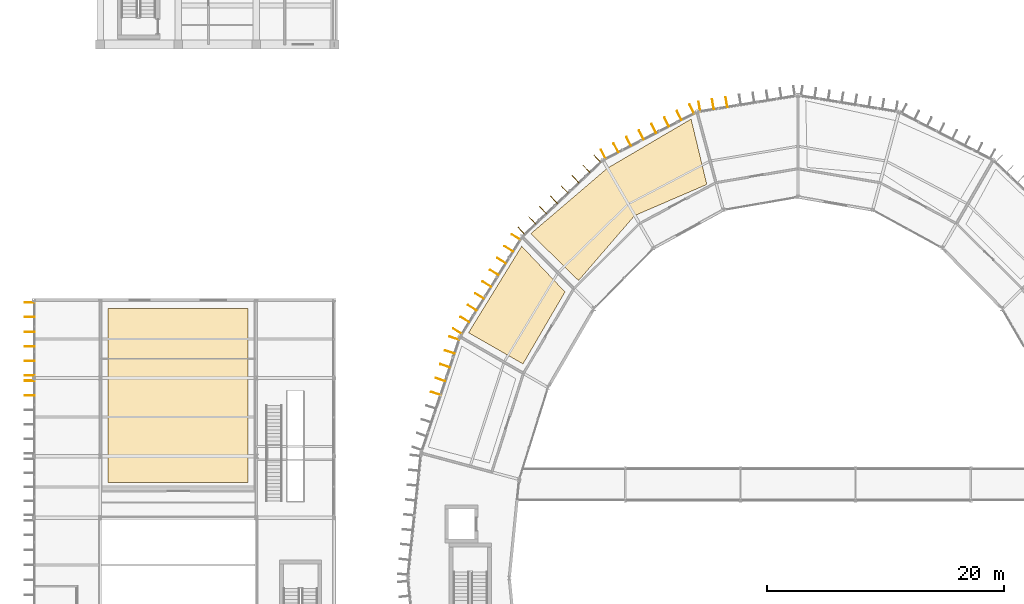
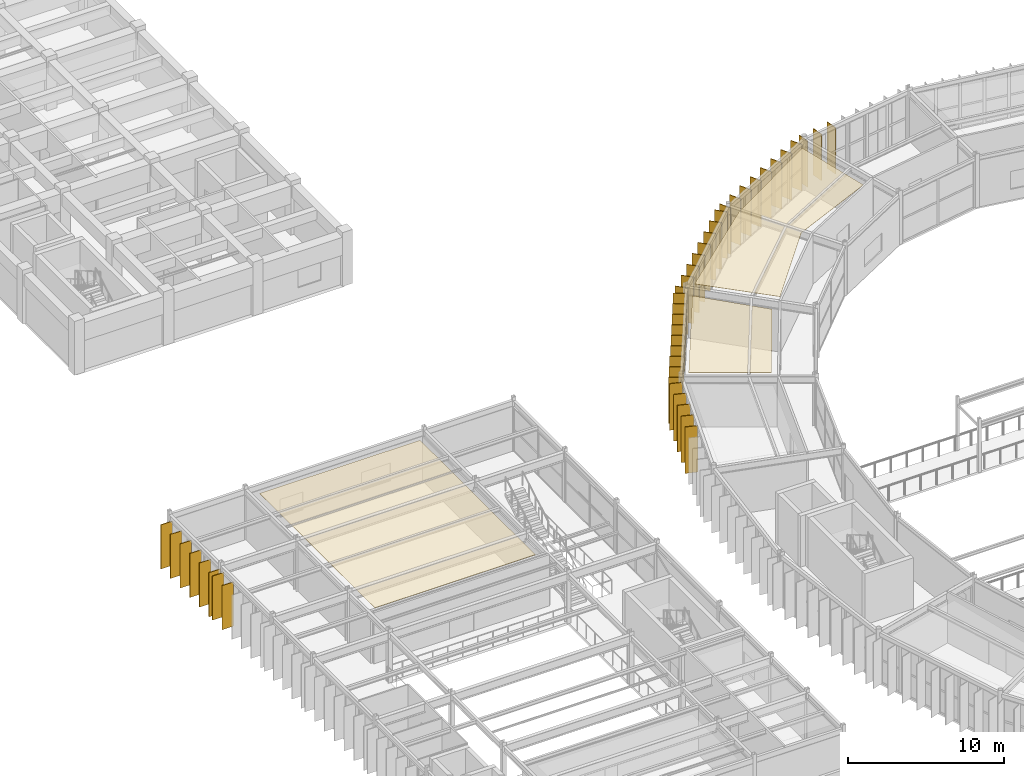
# One storey, part 143 of 148: 41 shading devices, 3 coverings.
"""IFC4 building model written with IfcOpenShell, lengths in metres."""

from ifc_helpers import new_model, si_unit, direction, frame, origin, origin_2d, place, context, subcontext, project, spatial, polyline, rectangle, outline, extrude, material, layer, layer_set, type_object, element, save


model = new_model("IFC4")

# Units and contexts
model_context = context("Model", 3, precision=1e-05, world=origin(), true_north=direction((0.0, 1.0)))
body_context = subcontext(model_context, "Body", "Model", "MODEL_VIEW")
ifc_project = project(units=[si_unit("LENGTHUNIT", "METRE"), si_unit("AREAUNIT", "SQUARE_METRE"), si_unit("VOLUMEUNIT", "CUBIC_METRE"), si_unit("PLANEANGLEUNIT", "RADIAN"), si_unit("MASSUNIT", "GRAM", prefix="KILO")], contexts=[model_context])

# Site, building, storey
site_placement = place(None, origin())
site = spatial("IfcSite", under=ifc_project, at=site_placement, CompositionType="ELEMENT")
building_placement = place(site_placement, origin())
building = spatial("IfcBuilding", under=site, at=building_placement, Name="Karori Crest Natural Sciences Institute", CompositionType="ELEMENT")
storey_placement = place(building_placement, frame((0.0, 0.0, 4.89990234375)))
storey = spatial("IfcBuildingStorey", under=building, at=storey_placement, Name="L01", CompositionType="ELEMENT", Elevation=4.89990234375)

# Coverings
ifc_material_1 = material(Name="Acoustic mineral fibre ceiling tile")
ifc_layer_1 = layer(ifc_material_1, 0.02490234375, Name="Acoustic mineral fibre ceiling tile")
ifc_layer_set_1 = layer_set([ifc_layer_1], Name="Acoustic mineral fibre ceiling tile")
covering_type = type_object("IfcCoveringType", Name="CVT-CEIL", PredefinedType="CEILING", material=ifc_layer_set_1)
covering_1_placement = place(storey_placement, frame((0.0, 0.0, 3.705078125)))
element("IfcCovering", 1, at=covering_1_placement, inside=storey, type_object=covering_type, Name="Acoustic ceiling CLG-0048", PredefinedType="CEILING", context=body_context, shape_type="SweptSolid", body=[
    extrude(outline(polyline([(8.048583984375, 72.694580078125), (8.048583984375, 57.95556640625), (19.9013671875, 57.95556640625), (19.9013671875, 72.694580078125), (8.048583984375, 72.694580078125)])), origin(), (0.0, 0.0, 1.0), 0.02490234375),
])
covering_2_placement = place(storey_placement, frame((0.0, 0.0, 3.705078125)))
element("IfcCovering", 2, at=covering_2_placement, inside=storey, type_object=covering_type, Name="Acoustic ceiling CLG-0057", PredefinedType="CEILING", context=body_context, shape_type="SweptSolid", body=[
    extrude(outline(polyline([(52.58203125, 80.534912109375), (58.6884765625, 83.16845703125), (57.36181640625, 88.69580078125), (50.28125, 84.5419921875), (43.810791015625, 79.01171875), (47.84716796875, 75.04833984375), (52.58203125, 80.534912109375)])), origin(), (0.0, 0.0, 1.0), 0.02490234375),
])
covering_3_placement = place(storey_placement, frame((0.0, 0.0, 3.705078125)))
element("IfcCovering", 3, at=covering_3_placement, inside=storey, type_object=covering_type, Name="Acoustic ceiling CLG-0058", PredefinedType="CEILING", context=body_context, shape_type="SweptSolid", body=[
    extrude(outline(polyline([(43.14501953125, 67.998779296875), (46.7001953125, 74.08544921875), (43.041015625, 77.9501953125), (38.54638671875, 70.6376953125), (43.14501953125, 67.998779296875)])), origin(), (0.0, 0.0, 1.0), 0.02490234375),
])

# Shading devices
ifc_material_2 = material(Name="Anodised architectural aluminium 6063-T6", Category="aluminium")
ifc_layer_2 = layer(ifc_material_2, 0.044921875, Name="Anodised architectural aluminium 6063-T6")
ifc_layer_set_2 = layer_set([ifc_layer_2], Name="Anodised architectural aluminium 6063-T6")
shading_device_type = type_object("IfcShadingDeviceType", Name="SDT-FIN", PredefinedType="USERDEFINED", material=ifc_layer_set_2)
for number, where, z_axis, x_axis, name in (
    (4, (58.065185546875, 89.7587890625, 0.0), (0.0, 0.0, 1.0), (-0.16065643331, 0.987010390237, 0.0), "Vertical solar fin FN-0052"),
    (5, (59.210693359375, 89.945068359375, 0.0), (0.0, 0.0, 1.0), (-0.16065643331, 0.987010390237, 0.0), "Vertical solar fin FN-0053"),
    (6, (60.355712890625, 90.131591796875, 0.0), (0.0, 0.0, 1.0), (-0.16065643331, 0.987010390237, 0.0), "Vertical solar fin FN-0054"),
    (7, (49.944580078125, 85.71728515625, 0.0), (0.0, 0.0, 1.0), (-0.455832320655, 0.890065669176, 0.0), "Vertical solar fin FN-0060"),
    (8, (51.013427734375, 86.2646484375, 0.0), (0.0, 0.0, 1.0), (-0.455832320655, 0.890065669176, 0.0), "Vertical solar fin FN-0061"),
    (9, (52.082275390625, 86.81201171875, 0.0), (0.0, 0.0, 1.0), (-0.455832320655, 0.890065669176, 0.0), "Vertical solar fin FN-0062"),
    (10, (53.151123046875, 87.359375, 0.0), (0.0, 0.0, 1.0), (-0.455832320655, 0.890065669176, 0.0), "Vertical solar fin FN-0063"),
    (11, (54.219970703125, 87.90673828125, 0.0), (0.0, 0.0, 1.0), (-0.455832320655, 0.890065669176, 0.0), "Vertical solar fin FN-0064"),
    (12, (55.288818359375, 88.4541015625, 0.0), (0.0, 0.0, 1.0), (-0.455832320655, 0.890065669176, 0.0), "Vertical solar fin FN-0065"),
    (13, (56.357666015625, 89.001708984375, 0.0), (0.0, 0.0, 1.0), (-0.455832320655, 0.890065669176, 0.0), "Vertical solar fin FN-0066"),
    (14, (57.426513671875, 89.549072265625, 0.0), (0.0, 0.0, 1.0), (-0.455832320655, 0.890065669176, 0.0), "Vertical solar fin FN-0067"),
    (15, (43.010009765625, 79.262451171875, 0.0), (0.0, 0.0, 1.0), (-0.688250755242, 0.725472878824, 0.0), "Vertical solar fin FN-0068"),
    (16, (43.927001953125, 80.13232421875, 0.0), (0.0, 0.0, 1.0), (-0.688250755242, 0.725472878824, 0.0), "Vertical solar fin FN-0069"),
    (17, (44.843994140625, 81.00244140625, 0.0), (0.0, 0.0, 1.0), (-0.688250755242, 0.725472878824, 0.0), "Vertical solar fin FN-0070"),
    (18, (45.760986328125, 81.872314453125, 0.0), (0.0, 0.0, 1.0), (-0.688250755242, 0.725472878824, 0.0), "Vertical solar fin FN-0071"),
    (19, (46.677978515625, 82.7421875, 0.0), (0.0, 0.0, 1.0), (-0.688250755242, 0.725472878824, 0.0), "Vertical solar fin FN-0072"),
    (20, (47.59521484375, 83.6123046875, 0.0), (0.0, 0.0, 1.0), (-0.688250755242, 0.725472878824, 0.0), "Vertical solar fin FN-0073"),
    (21, (48.51220703125, 84.482421875, 0.0), (0.0, 0.0, 1.0), (-0.688250755242, 0.725472878824, 0.0), "Vertical solar fin FN-0074"),
    (22, (49.42919921875, 85.352294921875, 0.0), (0.0, 0.0, 1.0), (-0.688250755242, 0.725472878824, 0.0), "Vertical solar fin FN-0075"),
    (23, (37.618408203125, 70.75048828125, 0.0), (0.0, 0.0, 1.0), (-0.849661763889, 0.527328063907, 0.0), "Vertical solar fin FN-0076"),
    (24, (38.236572265625, 71.74658203125, 0.0), (0.0, 0.0, 1.0), (-0.849661763889, 0.527328063907, 0.0), "Vertical solar fin FN-0077"),
    (25, (38.854736328125, 72.742919921875, 0.0), (0.0, 0.0, 1.0), (-0.849661763889, 0.527328063907, 0.0), "Vertical solar fin FN-0078"),
    (26, (39.472900390625, 73.739013671875, 0.0), (0.0, 0.0, 1.0), (-0.849661763889, 0.527328063907, 0.0), "Vertical solar fin FN-0079"),
    (27, (40.091064453125, 74.735107421875, 0.0), (0.0, 0.0, 1.0), (-0.849661763889, 0.527328063907, 0.0), "Vertical solar fin FN-0080"),
    (28, (40.70947265625, 75.731201171875, 0.0), (0.0, 0.0, 1.0), (-0.849661763889, 0.527328063907, 0.0), "Vertical solar fin FN-0081"),
    (29, (41.32763671875, 76.727294921875, 0.0), (0.0, 0.0, 1.0), (-0.849661763889, 0.527328063907, 0.0), "Vertical solar fin FN-0082"),
    (30, (41.94580078125, 77.723388671875, 0.0), (0.0, 0.0, 1.0), (-0.849661763889, 0.527328063907, 0.0), "Vertical solar fin FN-0083"),
    (31, (42.56396484375, 78.719482421875, 0.0), (0.0, 0.0, 1.0), (-0.849661763889, 0.527328063907, 0.0), "Vertical solar fin FN-0084"),
    (32, (35.781494140625, 65.502685546875, 0.0), (0.0, 0.0, 1.0), (-0.948196204549, 0.317685312343, 0.0), "Vertical solar fin FN-0089"),
    (33, (36.17236328125, 66.669189453125, 0.0), (0.0, 0.0, 1.0), (-0.948196204549, 0.317685312343, 0.0), "Vertical solar fin FN-0090"),
    (34, (36.563232421875, 67.835693359375, 0.0), (0.0, 0.0, 1.0), (-0.948196204549, 0.317685312343, 0.0), "Vertical solar fin FN-0091"),
    (35, (36.9541015625, 69.002197265625, 0.0), (0.0, 0.0, 1.0), (-0.948196204549, 0.317685312343, 0.0), "Vertical solar fin FN-0092"),
    (36, (37.344970703125, 70.168701171875, 0.0), (0.0, 0.0, 1.0), (-0.948196204549, 0.317685312343, 0.0), "Vertical solar fin FN-0093"),
):
    element("IfcShadingDevice", number, at=place(storey_placement, frame(where, z_axis=z_axis, x_axis=x_axis)), inside=storey, type_object=shading_device_type, Name=name, ObjectType="SOLAR_FIN", PredefinedType="USERDEFINED", context=body_context, shape_type="SweptSolid", body=[
        extrude(rectangle(XDim=0.85009765625, YDim=0.044921875, at=origin_2d()), origin(), (0.0, 0.0, 1.0), 3.625),
    ])
for number, where, z_axis, x_axis, name in (
    (37, (1.449951171875, 65.34619140625, 0.0), (0.0, 0.0, 1.0), (-1.0, 0.0, 0.0), "Vertical solar fin FN-1311"),
    (38, (1.449951171875, 66.576904296875, 0.0), (0.0, 0.0, 1.0), (-1.0, 0.0, 0.0), "Vertical solar fin FN-1312"),
    (39, (1.449951171875, 67.02294921875, 0.0), (0.0, 0.0, 1.0), (-1.0, 0.0, 0.0), "Vertical solar fin FN-1313"),
    (40, (1.449951171875, 68.25390625, 0.0), (0.0, 0.0, 1.0), (-1.0, 0.0, 0.0), "Vertical solar fin FN-1314"),
    (41, (1.449951171875, 69.484619140625, 0.0), (0.0, 0.0, 1.0), (-1.0, 0.0, 0.0), "Vertical solar fin FN-1315"),
    (42, (1.449951171875, 70.71533203125, 0.0), (0.0, 0.0, 1.0), (-1.0, 0.0, 0.0), "Vertical solar fin FN-1316"),
    (43, (1.449951171875, 71.9462890625, 0.0), (0.0, 0.0, 1.0), (-1.0, 0.0, 0.0), "Vertical solar fin FN-1317"),
    (44, (1.449951171875, 73.177001953125, 0.0), (0.0, 0.0, 1.0), (-1.0, 0.0, 0.0), "Vertical solar fin FN-1318"),
):
    element("IfcShadingDevice", number, at=place(storey_placement, frame(where, z_axis=z_axis, x_axis=x_axis)), inside=storey, type_object=shading_device_type, Name=name, ObjectType="SOLAR_FIN", PredefinedType="USERDEFINED", context=body_context, shape_type="SweptSolid", body=[
        extrude(rectangle(XDim=0.85009765625, YDim=0.044921875, at=origin_2d()), origin(), (0.0, 0.0, 1.0), 3.445068359375),
    ])

save(model, "model.ifc")
